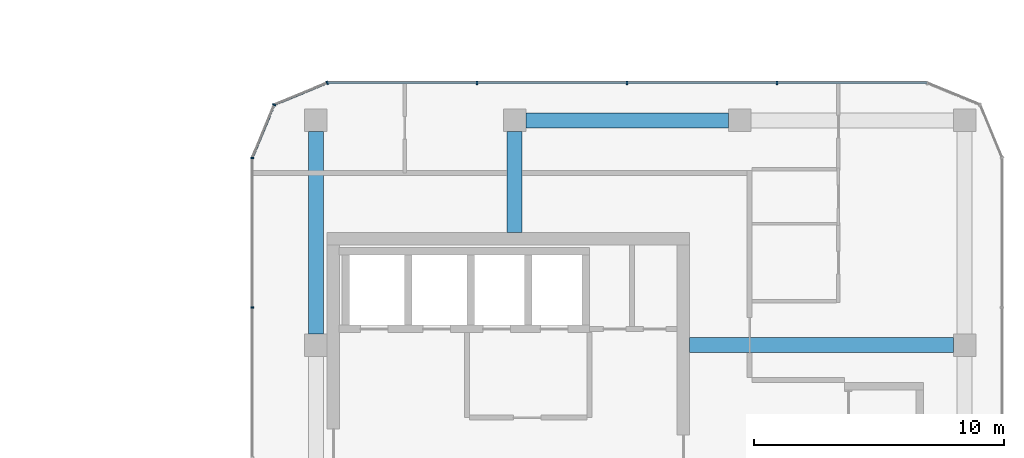
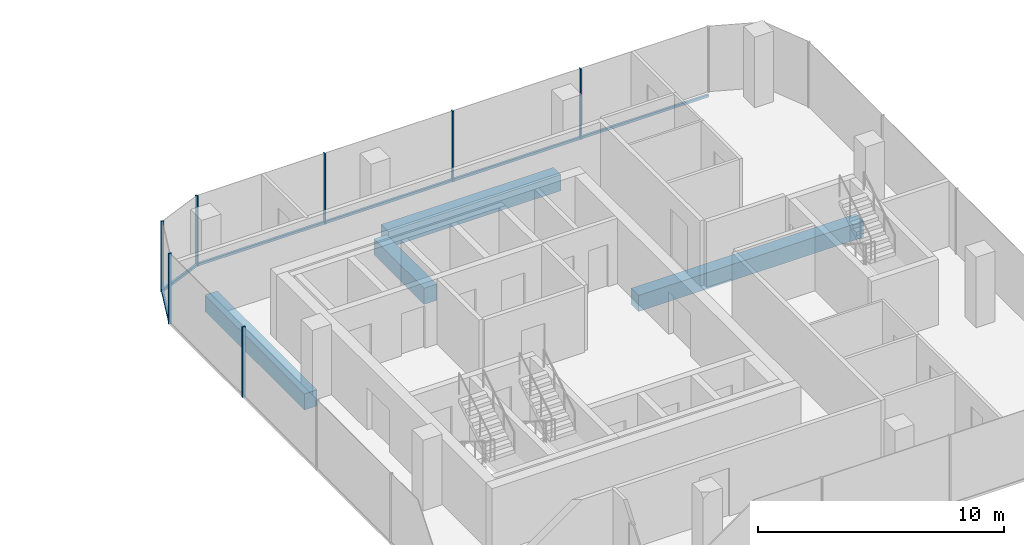
# One storey, part 9 of 22: 10 members, 4 beams, 4 elements without a shape of their own.
"""IFC4 building model written with IfcOpenShell, lengths in metres."""

from ifc_helpers import new_model, si_unit, direction, frame, origin, origin_2d, place, context, subcontext, project, spatial, rectangle, extrude, material, layer, layer_set, material_profile, profile_set, type_object, element, aggregate, save


model = new_model("IFC4")

# Units and contexts
model_context = context("Model", 3, precision=1e-05, world=origin(), true_north=direction((0.0, 1.0)))
body_context = subcontext(model_context, "Body", "Model", "MODEL_VIEW")
ifc_project = project(units=[si_unit("LENGTHUNIT", "METRE"), si_unit("AREAUNIT", "SQUARE_METRE"), si_unit("VOLUMEUNIT", "CUBIC_METRE"), si_unit("PLANEANGLEUNIT", "RADIAN"), si_unit("MASSUNIT", "GRAM", prefix="KILO")], contexts=[model_context])

# Site, building, storey
site_placement = place(None, origin())
site = spatial("IfcSite", under=ifc_project, at=site_placement, CompositionType="ELEMENT")
building_placement = place(site_placement, origin())
building = spatial("IfcBuilding", under=site, at=building_placement, Name="Plateau Cross Towers", CompositionType="ELEMENT")
storey_placement = place(building_placement, frame((0.0, 0.0, 54.800048828125)))
storey = spatial("IfcBuildingStorey", under=building, at=storey_placement, Name="L13", CompositionType="ELEMENT", Elevation=54.800048828125)

# Beams
ifc_material_1 = material(Name="Concrete C60/75", Category="concrete")
ifc_material_profile_1 = material_profile(ifc_material_1, rectangle(XDim=0.60009765625, YDim=0.800048828125, at=origin_2d()), Name="RC 600x800")
ifc_profile_set_1 = profile_set([ifc_material_profile_1], Name="Concrete C60/75")
beam_type_1 = type_object("IfcBeamType", Name="Core beam RC 600x800", PredefinedType="BEAM", material=ifc_profile_set_1)
beam_1_placement = place(storey_placement, frame((89.5, 13.5, -0.650146484375), z_axis=(1.0, 0.0, 0.0), x_axis=(0.0, 1.0, 0.0)))
element("IfcBeam", 1, at=beam_1_placement, inside=storey, type_object=beam_type_1, Name="B-CB03@L13", PredefinedType="BEAM", context=body_context, shape_type="SweptSolid", body=[
    extrude(rectangle(XDim=0.60009765625, YDim=0.800048828125, at=origin_2d()), origin(), (0.0, 0.0, 1.0), 10.550048828125),
])
beam_2_placement = place(storey_placement, frame((82.5, 18.0, -0.650146484375), z_axis=(0.0, 1.0, 0.0), x_axis=(-1.0, 0.0, 0.0)))
element("IfcBeam", 2, at=beam_2_placement, inside=storey, type_object=beam_type_1, Name="B-CB04@L13", PredefinedType="BEAM", context=body_context, shape_type="SweptSolid", body=[
    extrude(rectangle(XDim=0.60009765625, YDim=0.800048828125, at=origin_2d()), origin(), (0.0, 0.0, 1.0), 4.050048828125),
])

# Curtain wall, members
ifc_material_2 = material(Name="Dark low-iron glass", Category="glass")
ifc_layer = layer(ifc_material_2, 0.239990234375)
ifc_layer_set = layer_set([ifc_layer], Name="Dark low-iron glass")
curtain_wall_type = type_object("IfcCurtainWallType", Name="Curtain wall office unitised CW-F", PredefinedType="NOTDEFINED", material=ifc_layer_set)
curtain_wall_1_placement = place(storey_placement, origin())
curtain_wall_1 = element("IfcCurtainWall", 3, at=curtain_wall_1_placement, inside=storey, type_object=curtain_wall_type, Name="ENV/B/L13/B990_240", PredefinedType="NOTDEFINED")
ifc_material_3 = material(Name="Black anodised aluminium", Category="aluminium")
ifc_material_profile_2 = material_profile(ifc_material_3, rectangle(XDim=0.06005859375, YDim=0.139892578125, at=origin_2d()), Name="MULLION 60x140")
ifc_profile_set_2 = profile_set([ifc_material_profile_2], Name="Black anodised aluminium")
member_type_1 = type_object("IfcMemberType", Name="Mullion 60x140 office unitised", PredefinedType="MULLION", material=ifc_profile_set_2)
member_1_placement = place(storey_placement, frame((93.0, 24.0, -0.25), z_axis=(0.0, 0.0, 1.0), x_axis=(-1.0, 0.0, 0.0)))
member_1 = element("IfcMember", 4, at=member_1_placement, type_object=member_type_1, Name="CW-F mullion 2", PredefinedType="MULLION", context=body_context, shape_type="SweptSolid", body=[
    extrude(rectangle(XDim=0.06005859375, YDim=0.139892578125, at=origin_2d()), origin(), (0.0, 0.0, 1.0), 3.5),
])
member_2_placement = place(storey_placement, frame((87.0, 24.0, -0.25), z_axis=(0.0, 0.0, 1.0), x_axis=(-1.0, 0.0, 0.0)))
member_2 = element("IfcMember", 5, at=member_2_placement, type_object=member_type_1, Name="CW-F mullion 3", PredefinedType="MULLION", context=body_context, shape_type="SweptSolid", body=[
    extrude(rectangle(XDim=0.06005859375, YDim=0.139892578125, at=origin_2d()), origin(), (0.0, 0.0, 1.0), 3.5),
])
member_3_placement = place(storey_placement, frame((81.0, 24.0, -0.25), z_axis=(0.0, 0.0, 1.0), x_axis=(-1.0, 0.0, 0.0)))
member_3 = element("IfcMember", 6, at=member_3_placement, type_object=member_type_1, Name="CW-F mullion 4", PredefinedType="MULLION", context=body_context, shape_type="SweptSolid", body=[
    extrude(rectangle(XDim=0.06005859375, YDim=0.139892578125, at=origin_2d()), origin(), (0.0, 0.0, 1.0), 3.5),
])

# Curtain wall, member
curtain_wall_2_placement = place(storey_placement, origin())
curtain_wall_2 = element("IfcCurtainWall", 7, at=curtain_wall_2_placement, inside=storey, type_object=curtain_wall_type, Name="ENV/B/L13/B750_240", PredefinedType="NOTDEFINED")
member_4_placement = place(storey_placement, frame((75.0, 24.0, -0.25), z_axis=(0.0, 0.0, 1.0), x_axis=(-0.923879457699, -0.382683612978, 0.0)))
member_4 = element("IfcMember", 8, at=member_4_placement, type_object=member_type_1, Name="CW-F mullion 1", PredefinedType="MULLION", context=body_context, shape_type="SweptSolid", body=[
    extrude(rectangle(XDim=0.06005859375, YDim=0.139892578125, at=origin_2d()), origin(), (0.0, 0.0, 1.0), 3.5),
])

curtain_wall_3_placement = place(storey_placement, origin())
curtain_wall_3 = element("IfcCurtainWall", 9, at=curtain_wall_3_placement, inside=storey, type_object=curtain_wall_type, Name="ENV/B/L13/B729_231", PredefinedType="NOTDEFINED")
member_5_placement = place(storey_placement, frame((72.878662109375, 23.121337890625, -0.25), z_axis=(0.0, 0.0, 1.0), x_axis=(-0.382683612978, -0.923879457699, 0.0)))
member_5 = element("IfcMember", 10, at=member_5_placement, type_object=member_type_1, Name="CW-F mullion 1", PredefinedType="MULLION", context=body_context, shape_type="SweptSolid", body=[
    extrude(rectangle(XDim=0.06005859375, YDim=0.139892578125, at=origin_2d()), origin(), (0.0, 0.0, 1.0), 3.5),
])

# Curtain wall, members
curtain_wall_4_placement = place(storey_placement, origin())
curtain_wall_4 = element("IfcCurtainWall", 11, at=curtain_wall_4_placement, inside=storey, type_object=curtain_wall_type, Name="ENV/B/L13/B720_210", PredefinedType="NOTDEFINED")
member_6_placement = place(storey_placement, frame((72.0, 21.0, -0.25), z_axis=(0.0, 0.0, 1.0), x_axis=(0.0, -1.0, 0.0)))
member_6 = element("IfcMember", 12, at=member_6_placement, type_object=member_type_1, Name="CW-F mullion 1", PredefinedType="MULLION", context=body_context, shape_type="SweptSolid", body=[
    extrude(rectangle(XDim=0.06005859375, YDim=0.139892578125, at=origin_2d()), origin(), (0.0, 0.0, 1.0), 3.5),
])
member_7_placement = place(storey_placement, frame((72.0, 15.0, -0.25), z_axis=(0.0, 0.0, 1.0), x_axis=(0.0, -1.0, 0.0)))
member_7 = element("IfcMember", 13, at=member_7_placement, type_object=member_type_1, Name="CW-F mullion 2", PredefinedType="MULLION", context=body_context, shape_type="SweptSolid", body=[
    extrude(rectangle(XDim=0.06005859375, YDim=0.139892578125, at=origin_2d()), origin(), (0.0, 0.0, 1.0), 3.5),
])
aggregate(curtain_wall_4, [member_6, member_7])

# Beams
ifc_material_profile_3 = material_profile(ifc_material_1, rectangle(XDim=0.60009765625, YDim=0.800048828125, at=origin_2d()), Name="RC 600x800")
ifc_profile_set_3 = profile_set([ifc_material_profile_3], Name="Concrete C60/75")
beam_type_2 = type_object("IfcBeamType", Name="Ring beam RC 600x800", PredefinedType="BEAM", material=ifc_profile_set_3)
for number, where, z_axis, x_axis, name in (
    (14, (91.050048828125, 22.5, -0.650146484375), (-1.0, 0.0, 0.0), (0.0, -1.0, 0.0), "B-RB07@L13"),
    (15, (74.550048828125, 22.050048828125, -0.650146484375), (0.0, -1.0, 0.0), (1.0, 0.0, 0.0), "B-RB08@L13"),
):
    element("IfcBeam", number, at=place(storey_placement, frame(where, z_axis=z_axis, x_axis=x_axis)), inside=storey, type_object=beam_type_2, Name=name, PredefinedType="BEAM", context=body_context, shape_type="SweptSolid", body=[
        extrude(rectangle(XDim=0.60009765625, YDim=0.800048828125, at=origin_2d()), origin(), (0.0, 0.0, 1.0), 8.10009765625),
    ])

# Member
ifc_material_profile_4 = material_profile(ifc_material_3, rectangle(XDim=0.10009765625, YDim=0.1201171875, at=origin_2d()), Name="TRANSOM 100x120")
ifc_profile_set_4 = profile_set([ifc_material_profile_4], Name="Black anodised aluminium")
member_type_2 = type_object("IfcMemberType", Name="Transom 100x120 office unitised", PredefinedType="USERDEFINED", material=ifc_profile_set_4)
member_8_placement = place(storey_placement, frame((99.0, 24.0, -0.18994140625), z_axis=(-1.0, 0.0, 0.0), x_axis=(0.0, -1.0, 0.0)))
member_8 = element("IfcMember", 16, at=member_8_placement, type_object=member_type_2, Name="CW-F transom", ObjectType="TRANSOM", PredefinedType="USERDEFINED", context=body_context, shape_type="SweptSolid", body=[
    extrude(rectangle(XDim=0.10009765625, YDim=0.1201171875, at=origin_2d()), origin(), (0.0, 0.0, 1.0), 24.0),
])

aggregate(curtain_wall_1, [member_1, member_2, member_3, member_8])

member_9_placement = place(storey_placement, frame((75.0, 24.0, -0.18994140625), z_axis=(-0.923883353507, -0.382674207535, 0.0), x_axis=(0.382674207535, -0.923883353507, 0.0)))
member_9 = element("IfcMember", 17, at=member_9_placement, type_object=member_type_2, Name="CW-F transom", ObjectType="TRANSOM", PredefinedType="USERDEFINED", context=body_context, shape_type="SweptSolid", body=[
    extrude(rectangle(XDim=0.10009765625, YDim=0.1201171875, at=origin_2d()), origin(), (0.0, 0.0, 1.0), 2.296142578125),
])

aggregate(curtain_wall_2, [member_4, member_9])

member_10_placement = place(storey_placement, frame((72.878662109375, 23.121337890625, -0.18994140625), z_axis=(-0.382674207535, -0.923883353507, 0.0), x_axis=(0.923883353507, -0.382674207535, 0.0)))
member_10 = element("IfcMember", 18, at=member_10_placement, type_object=member_type_2, Name="CW-F transom", ObjectType="TRANSOM", PredefinedType="USERDEFINED", context=body_context, shape_type="SweptSolid", body=[
    extrude(rectangle(XDim=0.10009765625, YDim=0.1201171875, at=origin_2d()), origin(), (0.0, 0.0, 1.0), 2.296142578125),
])

aggregate(curtain_wall_3, [member_5, member_10])

save(model, "model.ifc")
